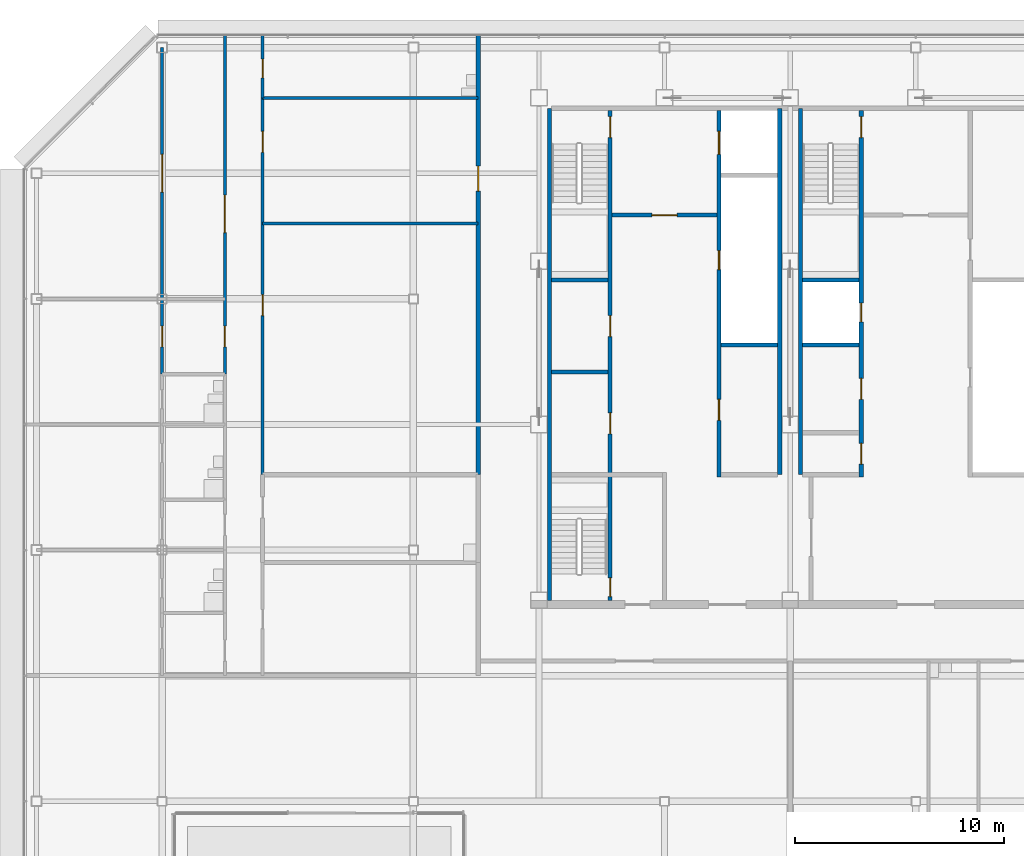
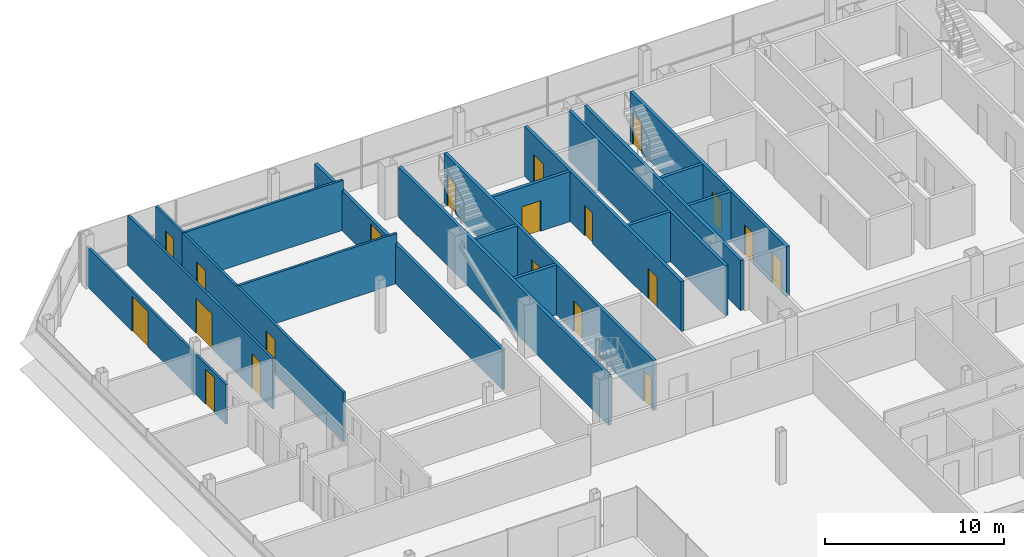
# One storey, part 25 of 31: 20 doors, 19 walls, 20 openings.
"""IFC4 building model written with IfcOpenShell, lengths in metres."""

from ifc_helpers import new_model, si_unit, direction, frame, frame_2d, origin, place, context, subcontext, project, spatial, rectangle, extrude, material, layer, layer_set, type_object, element, fill, save


model = new_model("IFC4")

# Units and contexts
model_context = context("Model", 3, precision=1e-05, world=origin(), true_north=direction((0.0, 1.0)))
body_context = subcontext(model_context, "Body", "Model", "MODEL_VIEW")
ifc_project = project(units=[si_unit("LENGTHUNIT", "METRE"), si_unit("AREAUNIT", "SQUARE_METRE"), si_unit("VOLUMEUNIT", "CUBIC_METRE"), si_unit("PLANEANGLEUNIT", "RADIAN"), si_unit("MASSUNIT", "GRAM", prefix="KILO")], contexts=[model_context])

# Site, building, storey
site_placement = place(None, origin())
site = spatial("IfcSite", under=ifc_project, at=site_placement, CompositionType="ELEMENT")
building_placement = place(site_placement, origin())
building = spatial("IfcBuilding", under=site, at=building_placement, Name="Sorahane Residences", CompositionType="ELEMENT")
storey_placement = place(building_placement, frame((0.0, 0.0, 319.60009765625)))
storey = spatial("IfcBuildingStorey", under=building, at=storey_placement, Name="L76", CompositionType="ELEMENT", Elevation=319.60009765625)

# Walls
ifc_material_1 = material(Name="Concrete C30", Category="concrete")
ifc_layer_1 = layer(ifc_material_1, 0.199951171875)
ifc_layer_set_1 = layer_set([ifc_layer_1], Name="Core face wall 200 EI 180")
wall_type_1 = type_object("IfcWallType", Name="Core face wall 200 EI 180", PredefinedType="SOLIDWALL", material=ifc_layer_set_1)
wall_1_placement = place(storey_placement, frame((6.5, 21.60009765625, 0.0), z_axis=(0.0, 0.0, 1.0), x_axis=(0.0, 1.0, 0.0)))
element("IfcWall", 1, at=wall_1_placement, inside=storey, type_object=wall_type_1, Name="L76 core face wall", PredefinedType="SOLIDWALL", context=body_context, shape_type="SweptSolid", body=[
    extrude(rectangle(XDim=23.5, YDim=0.199951171875, at=frame_2d((11.75, 0.0))), origin(), (0.0, 0.0, 1.0), 3.419921875),
])
for number, where, z_axis, x_axis, name in (
    (2, (17.5, 27.60009765625, 0.0), (0.0, 0.0, 1.0), (0.0, 1.0, 0.0), "L76 core face wall"),
    (3, (18.5, 27.60009765625, 0.0), (0.0, 0.0, 1.0), (0.0, 1.0, 0.0), "L76 core face wall"),
):
    element("IfcWall", number, at=place(storey_placement, frame(where, z_axis=z_axis, x_axis=x_axis)), inside=storey, type_object=wall_type_1, Name=name, PredefinedType="SOLIDWALL", context=body_context, shape_type="SweptSolid", body=[
        extrude(rectangle(XDim=17.5, YDim=0.199951171875, at=frame_2d((8.75, 0.0))), origin(), (0.0, 0.0, 1.0), 3.419921875),
    ])

# Wall, opening, door
ifc_material_2 = material(Name="Concrete blockwork C20 wall", Category="masonry")
ifc_layer_2 = layer(ifc_material_2, 0.199951171875)
ifc_layer_set_2 = layer_set([ifc_layer_2], Name="Corridor wall 200 EI 120")
wall_type_2 = type_object("IfcWallType", Name="Corridor wall 200 EI 120", PredefinedType="SOLIDWALL", material=ifc_layer_set_2)
wall_2_placement = place(storey_placement, frame((3.10009765625, 27.60009765625, 0.0), z_axis=(0.0, 0.0, 1.0), x_axis=(0.0, 1.0, 0.0)))
wall_2 = element("IfcWall", 4, at=wall_2_placement, inside=storey, type_object=wall_type_2, Name="L76 corridor wall", PredefinedType="SOLIDWALL", context=body_context, shape_type="SweptSolid", body=[
    extrude(rectangle(XDim=21.0, YDim=0.199951171875, at=frame_2d((10.5, 0.0))), origin(), (0.0, 0.0, 1.0), 2.719970703125),
])
opening_1_placement = place(wall_2_placement, frame((13.5400390625, 0.0, 0.0)))
opening_1 = element("IfcOpeningElement", 5, at=opening_1_placement, cuts=wall_2, Name="Opening L76-32", PredefinedType="OPENING", context=body_context, shape_type="SweptSolid", body=[
    extrude(rectangle(XDim=1.199951171875, YDim=2.39990234375, at=frame_2d((0.60009765625, 1.199951171875))), frame((0.0, 0.10986328125, 0.0), z_axis=(0.0, -1.0, 0.0), x_axis=(1.0, 0.0, 0.0)), (0.0, 0.0, 1.0), 0.219970703125),
])
ifc_material_3 = material(Name="Timber veneered fire door", Category="wood")
door_type_1 = type_object("IfcDoorType", Name="Flat entrance door 1200x2400 FD60", OperationType="NOTDEFINED", PredefinedType="DOOR", material=ifc_material_3)
door_1_placement = place(opening_1_placement, origin())
door_1 = element("IfcDoor", 6, at=door_1_placement, inside=storey, type_object=door_type_1, Name="Flat entrance door L76-32", OperationType="SINGLE_SWING_RIGHT", OverallHeight=2.39990234375, OverallWidth=1.199951171875, PredefinedType="DOOR", context=body_context, shape_type="SweptSolid", body=[
    extrude(rectangle(XDim=1.199951171875, YDim=2.39990234375, at=frame_2d((0.60009765625, 1.199951171875))), frame((0.0, 0.02490234375, 0.0), z_axis=(0.0, -1.0, 0.0), x_axis=(1.0, 0.0, 0.0)), (0.0, 0.0, 1.0), 0.050048828125),
])
fill(opening_1, door_1)

ifc_material_4 = material(Name="Concrete C30", Category="concrete")
ifc_layer_3 = layer(ifc_material_4, 0.199951171875)
ifc_layer_set_3 = layer_set([ifc_layer_3], Name="Front room wall 200 EI 120")
wall_type_3 = type_object("IfcWallType", Name="Front room wall 200 EI 120", PredefinedType="PARTITIONING", material=ifc_layer_set_3)
wall_3_placement = place(storey_placement, frame((9.5, 40.0, 0.0), z_axis=(0.0, 0.0, 1.0), x_axis=(1.0, 0.0, 0.0)))
wall_3 = element("IfcWall", 7, at=wall_3_placement, inside=storey, type_object=wall_type_3, Name="L76 front room wall", PredefinedType="PARTITIONING", context=body_context, shape_type="SweptSolid", body=[
    extrude(rectangle(XDim=5.0, YDim=0.199951171875, at=frame_2d((2.5, 0.0))), origin(), (0.0, 0.0, 1.0), 3.419921875),
])
opening_2_placement = place(wall_3_placement, frame((1.89990234375, 0.0, 0.0)))
opening_2 = element("IfcOpeningElement", 8, at=opening_2_placement, cuts=wall_3, Name="Opening L76-C07", PredefinedType="OPENING", context=body_context, shape_type="SweptSolid", body=[
    extrude(rectangle(XDim=1.199951171875, YDim=2.10009765625, at=frame_2d((0.60009765625, 1.050048828125))), frame((0.0, 0.10986328125, 0.0), z_axis=(0.0, -1.0, 0.0), x_axis=(1.0, 0.0, 0.0)), (0.0, 0.0, 1.0), 0.219970703125),
])
ifc_material_5 = material(Name="Steel", Category="steel")
door_type_2 = type_object("IfcDoorType", Name="Front room door 1200x2100 FD120", OperationType="NOTDEFINED", PredefinedType="DOOR", material=ifc_material_5)
door_2_placement = place(opening_2_placement, frame((1.199951171875, 0.0, 0.0), z_axis=(0.0, 0.0, 1.0), x_axis=(-1.0, 0.0, 0.0)))
door_2 = element("IfcDoor", 9, at=door_2_placement, inside=storey, type_object=door_type_2, Name="Front room door Firefighting lobby FF1 front room L76", OperationType="DOUBLE_DOOR_SINGLE_SWING", OverallHeight=2.10009765625, OverallWidth=1.199951171875, PredefinedType="DOOR", context=body_context, shape_type="SweptSolid", body=[
    extrude(rectangle(XDim=1.199951171875, YDim=2.10009765625, at=frame_2d((0.60009765625, 1.050048828125))), frame((0.0, 0.02490234375, 0.0), z_axis=(0.0, -1.0, 0.0), x_axis=(1.0, 0.0, 0.0)), (0.0, 0.0, 1.0), 0.050048828125),
])
fill(opening_2, door_2)

# Wall, openings, doors
ifc_material_6 = material(Name="Concrete C30", Category="concrete")
ifc_layer_4 = layer(ifc_material_6, 0.199951171875)
ifc_layer_set_4 = layer_set([ifc_layer_4], Name="Lift shaft wall 200 EI 120")
wall_type_4 = type_object("IfcWallType", Name="Lift shaft wall 200 EI 120", PredefinedType="SOLIDWALL", material=ifc_layer_set_4)
wall_4_placement = place(storey_placement, frame((14.60009765625, 27.5, 0.0), z_axis=(0.0, 0.0, 1.0), x_axis=(0.0, 1.0, 0.0)))
wall_4 = element("IfcWall", 10, at=wall_4_placement, inside=storey, type_object=wall_type_4, Name="L76 lift shaft wall", PredefinedType="SOLIDWALL", context=body_context, shape_type="SweptSolid", body=[
    extrude(rectangle(XDim=17.5, YDim=0.199951171875, at=frame_2d((8.75, 0.0))), origin(), (0.0, 0.0, 1.0), 3.419921875),
])
opening_3_placement = place(wall_4_placement, frame((15.39990234375, 0.0, 0.0)))
opening_3 = element("IfcOpeningElement", 11, at=opening_3_placement, cuts=wall_4, Name="Opening L76-C16", PredefinedType="OPENING", context=body_context, shape_type="SweptSolid", body=[
    extrude(rectangle(XDim=1.10009765625, YDim=2.10009765625, at=frame_2d((0.550048828125, 1.050048828125))), frame((0.0, 0.10986328125, 0.0), z_axis=(0.0, -1.0, 0.0), x_axis=(1.0, 0.0, 0.0)), (0.0, 0.0, 1.0), 0.219970703125),
])
opening_4_placement = place(wall_4_placement, frame((2.699951171875, 0.0, 0.0)))
opening_4 = element("IfcOpeningElement", 12, at=opening_4_placement, cuts=wall_4, Name="Opening L76-C19", PredefinedType="OPENING", context=body_context, shape_type="SweptSolid", body=[
    extrude(rectangle(XDim=1.0, YDim=2.10009765625, at=frame_2d((0.5, 1.050048828125))), frame((0.0, 0.10986328125, 0.0), z_axis=(0.0, -1.0, 0.0), x_axis=(1.0, 0.0, 0.0)), (0.0, 0.0, 1.0), 0.219970703125),
])
opening_5_placement = place(wall_4_placement, frame((9.89990234375, 0.0, 0.0)))
opening_5 = element("IfcOpeningElement", 13, at=opening_5_placement, cuts=wall_4, Name="Opening L76-C27", PredefinedType="OPENING", context=body_context, shape_type="SweptSolid", body=[
    extrude(rectangle(XDim=0.89990234375, YDim=2.10009765625, at=frame_2d((0.449951171875, 1.050048828125))), frame((0.0, 0.10986328125, 0.0), z_axis=(0.0, -1.0, 0.0), x_axis=(1.0, 0.0, 0.0)), (0.0, 0.0, 1.0), 0.219970703125),
])
ifc_material_7 = material(Name="Aluminium and stainless steel", Category="steel")
door_type_3 = type_object("IfcDoorType", Name="Lift landing door 1100x2100 E 60", OperationType="NOTDEFINED", PredefinedType="DOOR", material=ifc_material_7)
door_3_placement = place(opening_3_placement, origin())
door_3 = element("IfcDoor", 14, at=door_3_placement, inside=storey, type_object=door_type_3, Name="Lift landing door FF1 L76", OperationType="DOUBLE_DOOR_SLIDING", OverallHeight=2.10009765625, OverallWidth=1.10009765625, PredefinedType="DOOR", context=body_context, shape_type="SweptSolid", body=[
    extrude(rectangle(XDim=1.10009765625, YDim=2.10009765625, at=frame_2d((0.550048828125, 1.050048828125))), frame((0.0, 0.02490234375, 0.0), z_axis=(0.0, -1.0, 0.0), x_axis=(1.0, 0.0, 0.0)), (0.0, 0.0, 1.0), 0.050048828125),
])
fill(opening_3, door_3)
ifc_material_8 = material(Name="Steel", Category="steel")
door_type_4 = type_object("IfcDoorType", Name="Riser door 900x2100 FD120", OperationType="NOTDEFINED", PredefinedType="DOOR", material=ifc_material_8)
door_4_placement = place(opening_5_placement, origin())
door_4 = element("IfcDoor", 15, at=door_4_placement, inside=storey, type_object=door_type_4, Name="Riser door R1 L76", OperationType="SINGLE_SWING_LEFT", OverallHeight=2.10009765625, OverallWidth=0.89990234375, PredefinedType="DOOR", context=body_context, shape_type="SweptSolid", body=[
    extrude(rectangle(XDim=0.89990234375, YDim=2.10009765625, at=frame_2d((0.449951171875, 1.050048828125))), frame((0.0, 0.02490234375, 0.0), z_axis=(0.0, -1.0, 0.0), x_axis=(1.0, 0.0, 0.0)), (0.0, 0.0, 1.0), 0.050048828125),
])
fill(opening_5, door_4)
ifc_material_9 = material(Name="Steel", Category="steel")
door_type_5 = type_object("IfcDoorType", Name="Service room door 1000x2100 FD60", OperationType="NOTDEFINED", PredefinedType="DOOR", material=ifc_material_9)
door_5_placement = place(opening_4_placement, frame((1.0, 0.0, 0.0), z_axis=(0.0, 0.0, 1.0), x_axis=(-1.0, 0.0, 0.0)))
door_5 = element("IfcDoor", 16, at=door_5_placement, inside=storey, type_object=door_type_5, Name="Service room door Guest suite store L76", OperationType="SINGLE_SWING_RIGHT", OverallHeight=2.10009765625, OverallWidth=1.0, PredefinedType="DOOR", context=body_context, shape_type="SweptSolid", body=[
    extrude(rectangle(XDim=1.0, YDim=2.10009765625, at=frame_2d((0.5, 1.050048828125))), frame((0.0, 0.02490234375, 0.0), z_axis=(0.0, -1.0, 0.0), x_axis=(1.0, 0.0, 0.0)), (0.0, 0.0, 1.0), 0.050048828125),
])
fill(opening_4, door_5)

ifc_material_10 = material(Name="Gypsum board partition on steel studs", Category="steel")
ifc_layer_5 = layer(ifc_material_10, 0.14990234375)
ifc_layer_set_5 = layer_set([ifc_layer_5], Name="Partition 150 EI 90")
wall_type_5 = type_object("IfcWallType", Name="Partition 150 EI 90", PredefinedType="PARTITIONING", material=ifc_layer_set_5)
wall_5_placement = place(storey_placement, frame((-12.0, 32.39990234375, 0.0), z_axis=(0.0, 0.0, 1.0), x_axis=(0.0, 1.0, 0.0)))
wall_5 = element("IfcWall", 17, at=wall_5_placement, inside=storey, type_object=wall_type_5, Name="L76 partition", PredefinedType="PARTITIONING", context=body_context, shape_type="SweptSolid", body=[
    extrude(rectangle(XDim=15.60009765625, YDim=0.14990234375, at=frame_2d((7.800048828125, 0.0))), origin(), (0.0, 0.0, 1.0), 2.719970703125),
])
opening_6_placement = place(wall_5_placement, frame((1.300048828125, 0.0, 0.0)))
opening_6 = element("IfcOpeningElement", 18, at=opening_6_placement, cuts=wall_5, Name="Opening L76-28", PredefinedType="OPENING", context=body_context, shape_type="SweptSolid", body=[
    extrude(rectangle(XDim=1.0, YDim=2.39990234375, at=frame_2d((0.5, 1.199951171875))), frame((0.0, 0.0849609375, 0.0), z_axis=(0.0, -1.0, 0.0), x_axis=(1.0, 0.0, 0.0)), (0.0, 0.0, 1.0), 0.169921875),
])
opening_7_placement = place(wall_5_placement, frame((8.699951171875, 0.0, 0.0)))
opening_7 = element("IfcOpeningElement", 19, at=opening_7_placement, cuts=wall_5, Name="Opening L76-30", PredefinedType="OPENING", context=body_context, shape_type="SweptSolid", body=[
    extrude(rectangle(XDim=1.800048828125, YDim=2.39990234375, at=frame_2d((0.89990234375, 1.199951171875))), frame((0.0, 0.0849609375, 0.0), z_axis=(0.0, -1.0, 0.0), x_axis=(1.0, 0.0, 0.0)), (0.0, 0.0, 1.0), 0.169921875),
])
ifc_material_11 = material(Name="Timber veneered fire door", Category="wood")
door_type_6 = type_object("IfcDoorType", Name="Double door 1800x2400 FD30", OperationType="NOTDEFINED", PredefinedType="DOOR", material=ifc_material_11)
door_6_placement = place(opening_7_placement, origin())
door_6 = element("IfcDoor", 20, at=door_6_placement, inside=storey, type_object=door_type_6, Name="Double door L76-30", OperationType="SINGLE_SWING_RIGHT", OverallHeight=2.39990234375, OverallWidth=1.800048828125, PredefinedType="DOOR", context=body_context, shape_type="SweptSolid", body=[
    extrude(rectangle(XDim=1.800048828125, YDim=2.39990234375, at=frame_2d((0.89990234375, 1.199951171875))), frame((0.0, 0.02490234375, 0.0), z_axis=(0.0, -1.0, 0.0), x_axis=(1.0, 0.0, 0.0)), (0.0, 0.0, 1.0), 0.050048828125),
])
fill(opening_7, door_6)
ifc_material_12 = material(Name="Timber veneered fire door", Category="wood")
door_type_7 = type_object("IfcDoorType", Name="Room door 1000x2400 FD30", OperationType="NOTDEFINED", PredefinedType="DOOR", material=ifc_material_12)
door_7_placement = place(opening_6_placement, origin())
door_7 = element("IfcDoor", 21, at=door_7_placement, inside=storey, type_object=door_type_7, Name="Room door L76-28", OperationType="SINGLE_SWING_LEFT", OverallHeight=2.39990234375, OverallWidth=1.0, PredefinedType="DOOR", context=body_context, shape_type="SweptSolid", body=[
    extrude(rectangle(XDim=1.0, YDim=2.39990234375, at=frame_2d((0.5, 1.199951171875))), frame((0.0, 0.02490234375, 0.0), z_axis=(0.0, -1.0, 0.0), x_axis=(1.0, 0.0, 0.0)), (0.0, 0.0, 1.0), 0.050048828125),
])
fill(opening_6, door_7)

wall_6_placement = place(storey_placement, frame((-7.199951171875, 27.60009765625, 0.0), z_axis=(0.0, 0.0, 1.0), x_axis=(0.0, 1.0, 0.0)))
wall_6 = element("IfcWall", 22, at=wall_6_placement, inside=storey, type_object=wall_type_5, Name="L76 partition", PredefinedType="PARTITIONING", context=body_context, shape_type="SweptSolid", body=[
    extrude(rectangle(XDim=18.0, YDim=0.14990234375, at=frame_2d((9.0, 0.0))), origin(), (0.0, 0.0, 1.0), 3.419921875),
])
opening_8_placement = place(wall_6_placement, frame((15.39990234375, 0.0, 0.0)))
opening_8 = element("IfcOpeningElement", 23, at=opening_8_placement, cuts=wall_6, Name="Opening L76-15", PredefinedType="OPENING", context=body_context, shape_type="SweptSolid", body=[
    extrude(rectangle(XDim=1.0, YDim=2.39990234375, at=frame_2d((0.5, 1.199951171875))), frame((0.0, 0.0849609375, 0.0), z_axis=(0.0, -1.0, 0.0), x_axis=(1.0, 0.0, 0.0)), (0.0, 0.0, 1.0), 0.169921875),
])
opening_9_placement = place(wall_6_placement, frame((7.60009765625, 0.0, 0.0)))
opening_9 = element("IfcOpeningElement", 24, at=opening_9_placement, cuts=wall_6, Name="Opening L76-18", PredefinedType="OPENING", context=body_context, shape_type="SweptSolid", body=[
    extrude(rectangle(XDim=1.0, YDim=2.39990234375, at=frame_2d((0.5, 1.199951171875))), frame((0.0, 0.0849609375, 0.0), z_axis=(0.0, -1.0, 0.0), x_axis=(1.0, 0.0, 0.0)), (0.0, 0.0, 1.0), 0.169921875),
])
door_8_placement = place(opening_8_placement, origin())
door_8 = element("IfcDoor", 25, at=door_8_placement, inside=storey, type_object=door_type_7, Name="Room door L76-15", OperationType="SINGLE_SWING_RIGHT", OverallHeight=2.39990234375, OverallWidth=1.0, PredefinedType="DOOR", context=body_context, shape_type="SweptSolid", body=[
    extrude(rectangle(XDim=1.0, YDim=2.39990234375, at=frame_2d((0.5, 1.199951171875))), frame((0.0, 0.02490234375, 0.0), z_axis=(0.0, -1.0, 0.0), x_axis=(1.0, 0.0, 0.0)), (0.0, 0.0, 1.0), 0.050048828125),
])
fill(opening_8, door_8)
door_9_placement = place(opening_9_placement, frame((1.0, 0.0, 0.0), z_axis=(0.0, 0.0, 1.0), x_axis=(-1.0, 0.0, 0.0)))
door_9 = element("IfcDoor", 26, at=door_9_placement, inside=storey, type_object=door_type_7, Name="Room door L76-18", OperationType="SINGLE_SWING_LEFT", OverallHeight=2.39990234375, OverallWidth=1.0, PredefinedType="DOOR", context=body_context, shape_type="SweptSolid", body=[
    extrude(rectangle(XDim=1.0, YDim=2.39990234375, at=frame_2d((0.5, 1.199951171875))), frame((0.0, 0.02490234375, 0.0), z_axis=(0.0, -1.0, 0.0), x_axis=(1.0, 0.0, 0.0)), (0.0, 0.0, 1.0), 0.050048828125),
])
fill(opening_9, door_9)

wall_7_placement = place(storey_placement, frame((-9.0, 32.39990234375, 0.0), z_axis=(0.0, 0.0, 1.0), x_axis=(0.0, 1.0, 0.0)))
wall_7 = element("IfcWall", 27, at=wall_7_placement, inside=storey, type_object=wall_type_5, Name="L76 partition", PredefinedType="PARTITIONING", context=body_context, shape_type="SweptSolid", body=[
    extrude(rectangle(XDim=16.2001953125, YDim=0.14990234375, at=frame_2d((8.10009765625, 0.0))), origin(), (0.0, 0.0, 1.0), 3.419921875),
])
opening_10_placement = place(wall_7_placement, frame((1.300048828125, 0.0, 0.0)))
opening_10 = element("IfcOpeningElement", 28, at=opening_10_placement, cuts=wall_7, Name="Opening L76-22", PredefinedType="OPENING", context=body_context, shape_type="SweptSolid", body=[
    extrude(rectangle(XDim=1.0, YDim=2.39990234375, at=frame_2d((0.5, 1.199951171875))), frame((0.0, 0.0849609375, 0.0), z_axis=(0.0, -1.0, 0.0), x_axis=(1.0, 0.0, 0.0)), (0.0, 0.0, 1.0), 0.169921875),
])
opening_11_placement = place(wall_7_placement, frame((6.760009765625, 0.0, 0.0)))
opening_11 = element("IfcOpeningElement", 29, at=opening_11_placement, cuts=wall_7, Name="Opening L76-23", PredefinedType="OPENING", context=body_context, shape_type="SweptSolid", body=[
    extrude(rectangle(XDim=1.800048828125, YDim=2.39990234375, at=frame_2d((0.89990234375, 1.199951171875))), frame((0.0, 0.0849609375, 0.0), z_axis=(0.0, -1.0, 0.0), x_axis=(1.0, 0.0, 0.0)), (0.0, 0.0, 1.0), 0.169921875),
])
door_10_placement = place(opening_11_placement, origin())
door_10 = element("IfcDoor", 30, at=door_10_placement, inside=storey, type_object=door_type_6, Name="Double door L76-23", OperationType="SINGLE_SWING_RIGHT", OverallHeight=2.39990234375, OverallWidth=1.800048828125, PredefinedType="DOOR", context=body_context, shape_type="SweptSolid", body=[
    extrude(rectangle(XDim=1.800048828125, YDim=2.39990234375, at=frame_2d((0.89990234375, 1.199951171875))), frame((0.0, 0.02490234375, 0.0), z_axis=(0.0, -1.0, 0.0), x_axis=(1.0, 0.0, 0.0)), (0.0, 0.0, 1.0), 0.050048828125),
])
fill(opening_11, door_10)
door_11_placement = place(opening_10_placement, origin())
door_11 = element("IfcDoor", 31, at=door_11_placement, inside=storey, type_object=door_type_7, Name="Room door L76-22", OperationType="SINGLE_SWING_LEFT", OverallHeight=2.39990234375, OverallWidth=1.0, PredefinedType="DOOR", context=body_context, shape_type="SweptSolid", body=[
    extrude(rectangle(XDim=1.0, YDim=2.39990234375, at=frame_2d((0.5, 1.199951171875))), frame((0.0, 0.02490234375, 0.0), z_axis=(0.0, -1.0, 0.0), x_axis=(1.0, 0.0, 0.0)), (0.0, 0.0, 1.0), 0.050048828125),
])
fill(opening_10, door_11)

# Walls
wall_8_placement = place(storey_placement, frame((-7.199951171875, 39.60009765625, 0.0), z_axis=(0.0, 0.0, 1.0), x_axis=(1.0, 0.0, 0.0)))
element("IfcWall", 32, at=wall_8_placement, inside=storey, type_object=wall_type_5, Name="L76 partition", PredefinedType="PARTITIONING", context=body_context, shape_type="SweptSolid", body=[
    extrude(rectangle(XDim=10.300048828125, YDim=0.14990234375, at=frame_2d((5.14990234375, 0.0))), origin(), (0.0, 0.0, 1.0), 3.419921875),
])
ifc_material_13 = material(Name="Concrete C30", Category="concrete")
ifc_layer_6 = layer(ifc_material_13, 0.199951171875)
ifc_layer_set_6 = layer_set([ifc_layer_6], Name="Riser shaft wall 200 EI 120")
wall_type_6 = type_object("IfcWallType", Name="Riser shaft wall 200 EI 120", PredefinedType="SOLIDWALL", material=ifc_layer_set_6)
for number, where, z_axis, x_axis, name in (
    (33, (14.699951171875, 33.800048828125, 0.0), (0.0, 0.0, 1.0), (1.0, 0.0, 0.0), "L76 riser wall"),
    (34, (18.60009765625, 33.800048828125, 0.0), (0.0, 0.0, 1.0), (1.0, 0.0, 0.0), "L76 riser wall"),
):
    element("IfcWall", number, at=place(storey_placement, frame(where, z_axis=z_axis, x_axis=x_axis)), inside=storey, type_object=wall_type_6, Name=name, PredefinedType="SOLIDWALL", context=body_context, shape_type="SweptSolid", body=[
        extrude(rectangle(XDim=2.699951171875, YDim=0.199951171875, at=frame_2d((1.35009765625, 0.0))), origin(), (0.0, 0.0, 1.0), 3.419921875),
    ])
ifc_material_14 = material(Name="Concrete C30", Category="concrete")
ifc_layer_7 = layer(ifc_material_14, 0.199951171875)
ifc_layer_set_7 = layer_set([ifc_layer_7], Name="Service room partition 200 EI 60")
wall_type_7 = type_object("IfcWallType", Name="Service room partition 200 EI 60", PredefinedType="PARTITIONING", material=ifc_layer_set_7)
wall_9_placement = place(storey_placement, frame((6.60009765625, 32.5, 0.0), z_axis=(0.0, 0.0, 1.0), x_axis=(1.0, 0.0, 0.0)))
element("IfcWall", 35, at=wall_9_placement, inside=storey, type_object=wall_type_7, Name="L76 service room wall", PredefinedType="PARTITIONING", context=body_context, shape_type="SweptSolid", body=[
    extrude(rectangle(XDim=2.699951171875, YDim=0.199951171875, at=frame_2d((1.35009765625, 0.0))), origin(), (0.0, 0.0, 1.0), 3.419921875),
])

# Wall, openings, doors
ifc_material_15 = material(Name="Concrete C30", Category="concrete")
ifc_layer_8 = layer(ifc_material_15, 0.199951171875)
ifc_layer_set_8 = layer_set([ifc_layer_8], Name="Stair enclosure wall 200 EI 120")
wall_type_8 = type_object("IfcWallType", Name="Stair enclosure wall 200 EI 120", PredefinedType="SOLIDWALL", material=ifc_layer_set_8)
wall_10_placement = place(storey_placement, frame((21.39990234375, 27.5, 0.0), z_axis=(0.0, 0.0, 1.0), x_axis=(0.0, 1.0, 0.0)))
wall_10 = element("IfcWall", 36, at=wall_10_placement, inside=storey, type_object=wall_type_8, Name="L76 stair enclosure wall", PredefinedType="SOLIDWALL", context=body_context, shape_type="SweptSolid", body=[
    extrude(rectangle(XDim=17.5, YDim=0.199951171875, at=frame_2d((8.75, 0.0))), origin(), (0.0, 0.0, 1.0), 3.419921875),
])
opening_12_placement = place(wall_10_placement, frame((0.60009765625, 0.0, 0.0)))
opening_12 = element("IfcOpeningElement", 37, at=opening_12_placement, cuts=wall_10, Name="Opening L76-C17", PredefinedType="OPENING", context=body_context, shape_type="SweptSolid", body=[
    extrude(rectangle(XDim=1.0, YDim=2.10009765625, at=frame_2d((0.5, 1.050048828125))), frame((0.0, 0.10986328125, 0.0), z_axis=(0.0, -1.0, 0.0), x_axis=(1.0, 0.0, 0.0)), (0.0, 0.0, 1.0), 0.219970703125),
])
opening_13_placement = place(wall_10_placement, frame((3.699951171875, 0.0, 0.0)))
opening_13 = element("IfcOpeningElement", 38, at=opening_13_placement, cuts=wall_10, Name="Opening L76-C18", PredefinedType="OPENING", context=body_context, shape_type="SweptSolid", body=[
    extrude(rectangle(XDim=1.0, YDim=2.10009765625, at=frame_2d((0.5, 1.050048828125))), frame((0.0, 0.10986328125, 0.0), z_axis=(0.0, -1.0, 0.0), x_axis=(1.0, 0.0, 0.0)), (0.0, 0.0, 1.0), 0.219970703125),
])
opening_14_placement = place(wall_10_placement, frame((16.199951171875, 0.0, 0.0)))
opening_14 = element("IfcOpeningElement", 39, at=opening_14_placement, cuts=wall_10, Name="Opening L76-C24", PredefinedType="OPENING", context=body_context, shape_type="SweptSolid", body=[
    extrude(rectangle(XDim=1.0, YDim=2.10009765625, at=frame_2d((0.5, 1.050048828125))), frame((0.0, 0.10986328125, 0.0), z_axis=(0.0, -1.0, 0.0), x_axis=(1.0, 0.0, 0.0)), (0.0, 0.0, 1.0), 0.219970703125),
])
opening_15_placement = place(wall_10_placement, frame((7.39990234375, 0.0, 0.0)))
opening_15 = element("IfcOpeningElement", 40, at=opening_15_placement, cuts=wall_10, Name="Opening L76-C29", PredefinedType="OPENING", context=body_context, shape_type="SweptSolid", body=[
    extrude(rectangle(XDim=0.89990234375, YDim=2.10009765625, at=frame_2d((0.449951171875, 1.050048828125))), frame((0.0, 0.10986328125, 0.0), z_axis=(0.0, -1.0, 0.0), x_axis=(1.0, 0.0, 0.0)), (0.0, 0.0, 1.0), 0.219970703125),
])
door_12_placement = place(opening_15_placement, frame((0.89990234375, 0.0, 0.0), z_axis=(0.0, 0.0, 1.0), x_axis=(-1.0, 0.0, 0.0)))
door_12 = element("IfcDoor", 41, at=door_12_placement, inside=storey, type_object=door_type_4, Name="Riser door R3 L76", OperationType="SINGLE_SWING_LEFT", OverallHeight=2.10009765625, OverallWidth=0.89990234375, PredefinedType="DOOR", context=body_context, shape_type="SweptSolid", body=[
    extrude(rectangle(XDim=0.89990234375, YDim=2.10009765625, at=frame_2d((0.449951171875, 1.050048828125))), frame((0.0, 0.02490234375, 0.0), z_axis=(0.0, -1.0, 0.0), x_axis=(1.0, 0.0, 0.0)), (0.0, 0.0, 1.0), 0.050048828125),
])
fill(opening_15, door_12)
door_13_placement = place(opening_12_placement, origin())
door_13 = element("IfcDoor", 42, at=door_13_placement, inside=storey, type_object=door_type_5, Name="Service room door Tea store L76", OperationType="SINGLE_SWING_LEFT", OverallHeight=2.10009765625, OverallWidth=1.0, PredefinedType="DOOR", context=body_context, shape_type="SweptSolid", body=[
    extrude(rectangle(XDim=1.0, YDim=2.10009765625, at=frame_2d((0.5, 1.050048828125))), frame((0.0, 0.02490234375, 0.0), z_axis=(0.0, -1.0, 0.0), x_axis=(1.0, 0.0, 0.0)), (0.0, 0.0, 1.0), 0.050048828125),
])
fill(opening_12, door_13)
door_14_placement = place(opening_13_placement, origin())
door_14 = element("IfcDoor", 43, at=door_14_placement, inside=storey, type_object=door_type_5, Name="Service room door Linen store L76", OperationType="SINGLE_SWING_RIGHT", OverallHeight=2.10009765625, OverallWidth=1.0, PredefinedType="DOOR", context=body_context, shape_type="SweptSolid", body=[
    extrude(rectangle(XDim=1.0, YDim=2.10009765625, at=frame_2d((0.5, 1.050048828125))), frame((0.0, 0.02490234375, 0.0), z_axis=(0.0, -1.0, 0.0), x_axis=(1.0, 0.0, 0.0)), (0.0, 0.0, 1.0), 0.050048828125),
])
fill(opening_13, door_14)
ifc_material_16 = material(Name="Steel", Category="steel")
door_type_8 = type_object("IfcDoorType", Name="Stair door 1000x2100 FD120", OperationType="NOTDEFINED", PredefinedType="DOOR", material=ifc_material_16)
door_15_placement = place(opening_14_placement, origin())
door_15 = element("IfcDoor", 44, at=door_15_placement, inside=storey, type_object=door_type_8, Name="Stair door S3 L76", OperationType="SINGLE_SWING_LEFT", OverallHeight=2.10009765625, OverallWidth=1.0, PredefinedType="DOOR", context=body_context, shape_type="SweptSolid", body=[
    extrude(rectangle(XDim=1.0, YDim=2.10009765625, at=frame_2d((0.5, 1.050048828125))), frame((0.0, 0.02490234375, 0.0), z_axis=(0.0, -1.0, 0.0), x_axis=(1.0, 0.0, 0.0)), (0.0, 0.0, 1.0), 0.050048828125),
])
fill(opening_14, door_15)

wall_11_placement = place(storey_placement, frame((9.39990234375, 21.60009765625, 0.0), z_axis=(0.0, 0.0, 1.0), x_axis=(0.0, 1.0, 0.0)))
wall_11 = element("IfcWall", 45, at=wall_11_placement, inside=storey, type_object=wall_type_8, Name="L76 stair enclosure wall", PredefinedType="SOLIDWALL", context=body_context, shape_type="SweptSolid", body=[
    extrude(rectangle(XDim=23.39990234375, YDim=0.199951171875, at=frame_2d((11.699951171875, 0.0))), origin(), (0.0, 0.0, 1.0), 3.419921875),
])
opening_16_placement = place(wall_11_placement, frame((7.949951171875, 0.0, 0.0)))
opening_16 = element("IfcOpeningElement", 46, at=opening_16_placement, cuts=wall_11, Name="Opening L76-C20", PredefinedType="OPENING", context=body_context, shape_type="SweptSolid", body=[
    extrude(rectangle(XDim=1.0, YDim=2.10009765625, at=frame_2d((0.5, 1.050048828125))), frame((0.0, 0.10986328125, 0.0), z_axis=(0.0, -1.0, 0.0), x_axis=(1.0, 0.0, 0.0)), (0.0, 0.0, 1.0), 0.219970703125),
])
opening_17_placement = place(wall_11_placement, frame((12.60009765625, 0.0, 0.0)))
opening_17 = element("IfcOpeningElement", 47, at=opening_17_placement, cuts=wall_11, Name="Opening L76-C21", PredefinedType="OPENING", context=body_context, shape_type="SweptSolid", body=[
    extrude(rectangle(XDim=1.0, YDim=2.10009765625, at=frame_2d((0.5, 1.050048828125))), frame((0.0, 0.10986328125, 0.0), z_axis=(0.0, -1.0, 0.0), x_axis=(1.0, 0.0, 0.0)), (0.0, 0.0, 1.0), 0.219970703125),
])
opening_18_placement = place(wall_11_placement, frame((22.10009765625, 0.0, 0.0)))
opening_18 = element("IfcOpeningElement", 48, at=opening_18_placement, cuts=wall_11, Name="Opening L76-C22", PredefinedType="OPENING", context=body_context, shape_type="SweptSolid", body=[
    extrude(rectangle(XDim=1.0, YDim=2.10009765625, at=frame_2d((0.5, 1.050048828125))), frame((0.0, 0.10986328125, 0.0), z_axis=(0.0, -1.0, 0.0), x_axis=(1.0, 0.0, 0.0)), (0.0, 0.0, 1.0), 0.219970703125),
])
opening_19_placement = place(wall_11_placement, frame((0.175048828125, 0.0, 0.0)))
opening_19 = element("IfcOpeningElement", 49, at=opening_19_placement, cuts=wall_11, Name="Opening L76-C25", PredefinedType="OPENING", context=body_context, shape_type="SweptSolid", body=[
    extrude(rectangle(XDim=0.89990234375, YDim=2.10009765625, at=frame_2d((0.449951171875, 1.050048828125))), frame((0.0, 0.10986328125, 0.0), z_axis=(0.0, -1.0, 0.0), x_axis=(1.0, 0.0, 0.0)), (0.0, 0.0, 1.0), 0.219970703125),
])
door_16_placement = place(opening_16_placement, origin())
door_16 = element("IfcDoor", 50, at=door_16_placement, inside=storey, type_object=door_type_5, Name="Service room door Study L76", OperationType="SINGLE_SWING_LEFT", OverallHeight=2.10009765625, OverallWidth=1.0, PredefinedType="DOOR", context=body_context, shape_type="SweptSolid", body=[
    extrude(rectangle(XDim=1.0, YDim=2.10009765625, at=frame_2d((0.5, 1.050048828125))), frame((0.0, 0.02490234375, 0.0), z_axis=(0.0, -1.0, 0.0), x_axis=(1.0, 0.0, 0.0)), (0.0, 0.0, 1.0), 0.050048828125),
])
fill(opening_16, door_16)
door_17_placement = place(opening_17_placement, origin())
door_17 = element("IfcDoor", 51, at=door_17_placement, inside=storey, type_object=door_type_5, Name="Service room door Lounge L76", OperationType="SINGLE_SWING_RIGHT", OverallHeight=2.10009765625, OverallWidth=1.0, PredefinedType="DOOR", context=body_context, shape_type="SweptSolid", body=[
    extrude(rectangle(XDim=1.0, YDim=2.10009765625, at=frame_2d((0.5, 1.050048828125))), frame((0.0, 0.02490234375, 0.0), z_axis=(0.0, -1.0, 0.0), x_axis=(1.0, 0.0, 0.0)), (0.0, 0.0, 1.0), 0.050048828125),
])
fill(opening_17, door_17)
door_18_placement = place(opening_18_placement, origin())
door_18 = element("IfcDoor", 52, at=door_18_placement, inside=storey, type_object=door_type_8, Name="Stair door S1 L76", OperationType="SINGLE_SWING_LEFT", OverallHeight=2.10009765625, OverallWidth=1.0, PredefinedType="DOOR", context=body_context, shape_type="SweptSolid", body=[
    extrude(rectangle(XDim=1.0, YDim=2.10009765625, at=frame_2d((0.5, 1.050048828125))), frame((0.0, 0.02490234375, 0.0), z_axis=(0.0, -1.0, 0.0), x_axis=(1.0, 0.0, 0.0)), (0.0, 0.0, 1.0), 0.050048828125),
])
fill(opening_18, door_18)
ifc_material_17 = material(Name="Steel", Category="steel")
door_type_9 = type_object("IfcDoorType", Name="Stair door 900x2100 FD120", OperationType="NOTDEFINED", PredefinedType="DOOR", material=ifc_material_17)
door_19_placement = place(opening_19_placement, origin())
door_19 = element("IfcDoor", 53, at=door_19_placement, inside=storey, type_object=door_type_9, Name="Stair door S4 L76", OperationType="SINGLE_SWING_LEFT", OverallHeight=2.10009765625, OverallWidth=0.89990234375, PredefinedType="DOOR", context=body_context, shape_type="SweptSolid", body=[
    extrude(rectangle(XDim=0.89990234375, YDim=2.10009765625, at=frame_2d((0.449951171875, 1.050048828125))), frame((0.0, 0.02490234375, 0.0), z_axis=(0.0, -1.0, 0.0), x_axis=(1.0, 0.0, 0.0)), (0.0, 0.0, 1.0), 0.050048828125),
])
fill(opening_19, door_19)

# Walls
for number, where, z_axis, x_axis, name in (
    (54, (18.60009765625, 36.89990234375, 0.0), (0.0, 0.0, 1.0), (1.0, 0.0, 0.0), "L76 stair enclosure wall"),
    (55, (6.60009765625, 36.89990234375, 0.0), (0.0, 0.0, 1.0), (1.0, 0.0, 0.0), "L76 stair enclosure wall"),
):
    element("IfcWall", number, at=place(storey_placement, frame(where, z_axis=z_axis, x_axis=x_axis)), inside=storey, type_object=wall_type_8, Name=name, PredefinedType="SOLIDWALL", context=body_context, shape_type="SweptSolid", body=[
        extrude(rectangle(XDim=2.699951171875, YDim=0.199951171875, at=frame_2d((1.35009765625, 0.0))), origin(), (0.0, 0.0, 1.0), 3.419921875),
    ])

# Wall, opening, door
ifc_material_18 = material(Name="Gypsum board partition on steel studs", Category="steel")
ifc_layer_9 = layer(ifc_material_18, 0.14990234375)
ifc_layer_set_9 = layer_set([ifc_layer_9], Name="Wet wall 150 EI 90")
wall_type_9 = type_object("IfcWallType", Name="Wet wall 150 EI 90", PredefinedType="PARTITIONING", material=ifc_layer_set_9)
wall_12_placement = place(storey_placement, frame((-7.199951171875, 45.60009765625, 0.0), z_axis=(0.0, 0.0, 1.0), x_axis=(0.0, 1.0, 0.0)))
wall_12 = element("IfcWall", 56, at=wall_12_placement, inside=storey, type_object=wall_type_9, Name="L76 wet wall", PredefinedType="PARTITIONING", context=body_context, shape_type="SweptSolid", body=[
    extrude(rectangle(XDim=3.0, YDim=0.14990234375, at=frame_2d((1.5, 0.0))), origin(), (0.0, 0.0, 1.0), 3.419921875),
])
opening_20_placement = place(wall_12_placement, frame((0.949951171875, 0.0, 0.0)))
opening_20 = element("IfcOpeningElement", 57, at=opening_20_placement, cuts=wall_12, Name="Opening L76-19", PredefinedType="OPENING", context=body_context, shape_type="SweptSolid", body=[
    extrude(rectangle(XDim=0.89990234375, YDim=2.39990234375, at=frame_2d((0.449951171875, 1.199951171875))), frame((0.0, 0.0849609375, 0.0), z_axis=(0.0, -1.0, 0.0), x_axis=(1.0, 0.0, 0.0)), (0.0, 0.0, 1.0), 0.169921875),
])
ifc_material_19 = material(Name="Timber veneered fire door", Category="wood")
door_type_10 = type_object("IfcDoorType", Name="Bathroom door 900x2400 FD30", OperationType="NOTDEFINED", PredefinedType="DOOR", material=ifc_material_19)
door_20_placement = place(opening_20_placement, origin())
door_20 = element("IfcDoor", 58, at=door_20_placement, inside=storey, type_object=door_type_10, Name="Bathroom door L76-19", OperationType="SINGLE_SWING_RIGHT", OverallHeight=2.39990234375, OverallWidth=0.89990234375, PredefinedType="DOOR", context=body_context, shape_type="SweptSolid", body=[
    extrude(rectangle(XDim=0.89990234375, YDim=2.39990234375, at=frame_2d((0.449951171875, 1.199951171875))), frame((0.0, 0.02490234375, 0.0), z_axis=(0.0, -1.0, 0.0), x_axis=(1.0, 0.0, 0.0)), (0.0, 0.0, 1.0), 0.050048828125),
])
fill(opening_20, door_20)

# Wall
wall_13_placement = place(storey_placement, frame((-7.199951171875, 45.60009765625, 0.0), z_axis=(0.0, 0.0, 1.0), x_axis=(1.0, 0.0, 0.0)))
element("IfcWall", 59, at=wall_13_placement, inside=storey, type_object=wall_type_9, Name="L76 wet wall", PredefinedType="PARTITIONING", context=body_context, shape_type="SweptSolid", body=[
    extrude(rectangle(XDim=10.300048828125, YDim=0.14990234375, at=frame_2d((5.14990234375, 0.0))), origin(), (0.0, 0.0, 1.0), 3.419921875),
])

save(model, "model.ifc")
